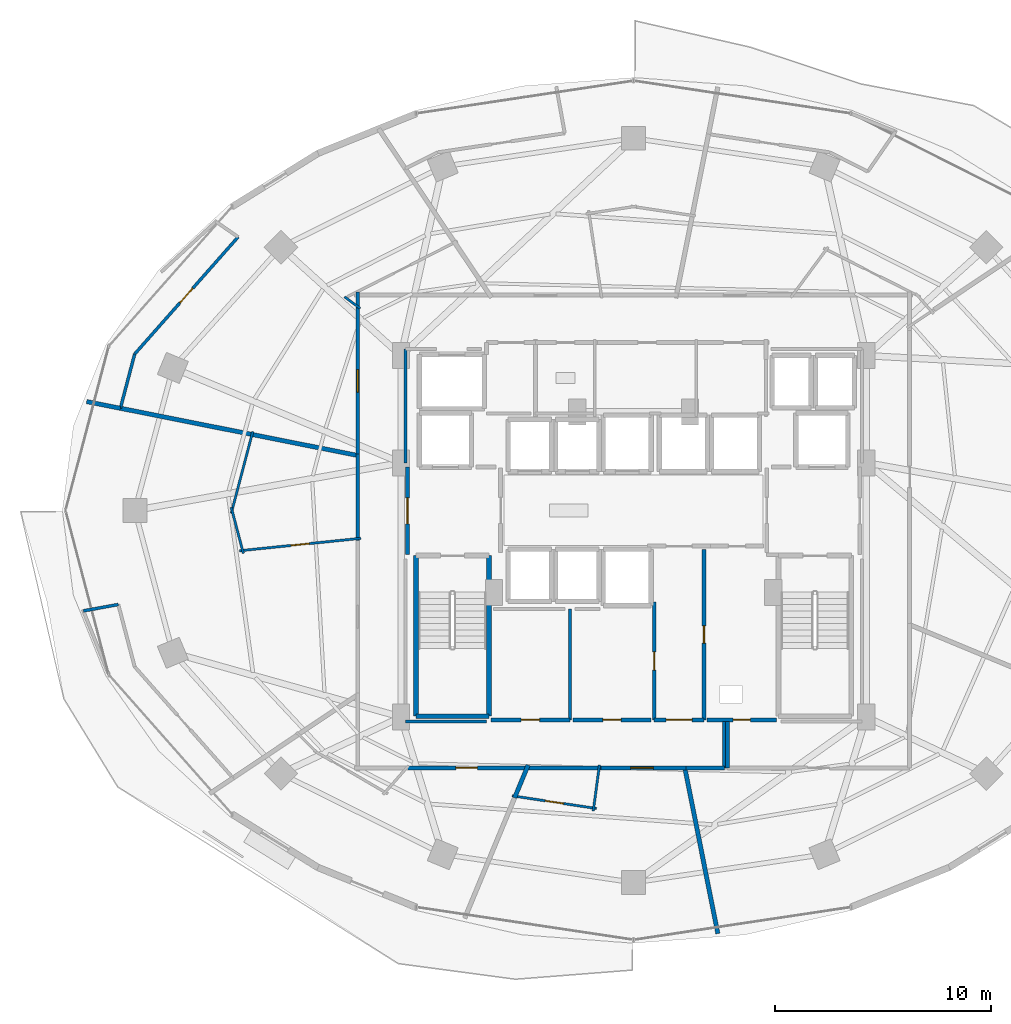
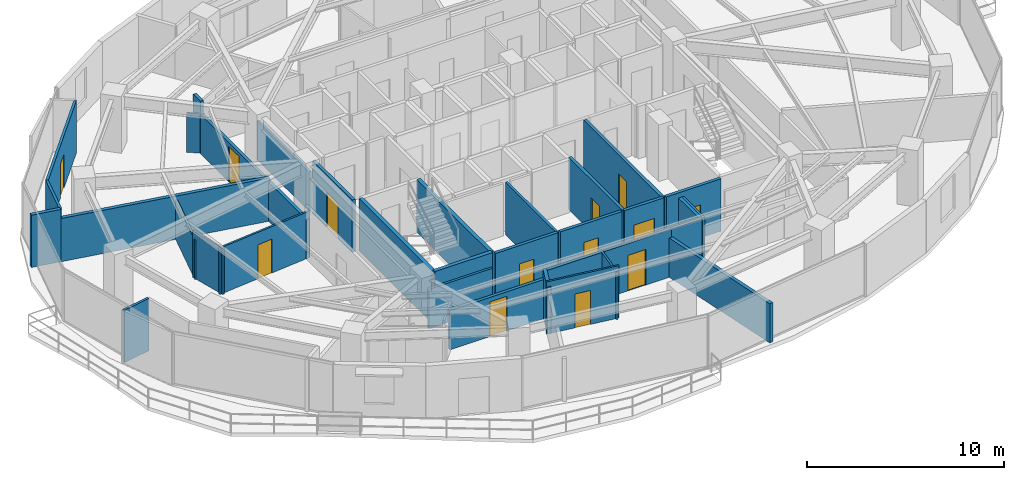
# One storey, part 22 of 29: 35 walls, 13 doors, 13 openings.
"""IFC4 building model written with IfcOpenShell, lengths in metres."""

from ifc_helpers import new_model, si_unit, direction, frame, frame_2d, origin, place, context, subcontext, project, spatial, rectangle, extrude, material, layer, layer_set, type_object, element, fill, save


model = new_model("IFC4")

# Units and contexts
model_context = context("Model", 3, precision=1e-05, world=origin(), true_north=direction((0.0, 1.0)))
body_context = subcontext(model_context, "Body", "Model", "MODEL_VIEW")
ifc_project = project(units=[si_unit("LENGTHUNIT", "METRE"), si_unit("AREAUNIT", "SQUARE_METRE"), si_unit("VOLUMEUNIT", "CUBIC_METRE"), si_unit("PLANEANGLEUNIT", "RADIAN"), si_unit("MASSUNIT", "GRAM", prefix="KILO")], contexts=[model_context])

# Site, building, storey
site_placement = place(None, origin())
site = spatial("IfcSite", under=ifc_project, at=site_placement, CompositionType="ELEMENT")
building_placement = place(site_placement, origin())
building = spatial("IfcBuilding", under=site, at=building_placement, Name="Vorneva Point Tower", CompositionType="ELEMENT")
storey_placement = place(building_placement, frame((0.0, 0.0, 85.800048828125)))
storey = spatial("IfcBuildingStorey", under=building, at=storey_placement, Name="L22", CompositionType="ELEMENT", Elevation=85.800048828125)

# Wall
ifc_material_1 = material(Name="Fire-rated acoustic gypsum stud partition", Category="gypsum")
ifc_layer_1 = layer(ifc_material_1, 0.110107421875)
ifc_layer_set_1 = layer_set([ifc_layer_1], Name="Fire-rated acoustic gypsum stud partition")
wall_type_1 = type_object("IfcWallType", Name="WL-PART-110", PredefinedType="PARTITIONING", material=ifc_layer_set_1)
wall_1_placement = place(storey_placement, frame((25.362548828125, 35.333740234375, 0.0), z_axis=(0.0, 0.0, 1.0), x_axis=(-0.804215638238, 0.594337620561, 0.0)))
element("IfcWall", 1, at=wall_1_placement, inside=storey, type_object=wall_type_1, Name="L22 Interior Partition 066", PredefinedType="PARTITIONING", context=body_context, shape_type="SweptSolid", body=[
    extrude(rectangle(XDim=0.899169921875, YDim=0.110107421875, at=frame_2d((0.44970703125, 0.0))), origin(), (0.0, 0.0, 1.0), 2.431884765625),
])

# Wall, opening, door
wall_2_placement = place(storey_placement, frame((25.389404296875, 24.708251953125, 0.0), z_axis=(0.0, 0.0, 1.0), x_axis=(-0.994782905304, -0.102014564227, 0.0)))
wall_2 = element("IfcWall", 2, at=wall_2_placement, inside=storey, type_object=wall_type_1, Name="L22 Interior Partition 074", PredefinedType="PARTITIONING", context=body_context, shape_type="SweptSolid", body=[
    extrude(rectangle(XDim=5.631103515625, YDim=0.110107421875, at=frame_2d((2.8154296875, 0.0))), origin(), (0.0, 0.0, 1.0), 2.8740234375),
])
opening_1_placement = place(wall_2_placement, frame((2.390380859375, 0.0, 0.0)))
opening_1 = element("IfcOpeningElement", 3, at=opening_1_placement, cuts=wall_2, Name="Opening ID-02", PredefinedType="OPENING", context=body_context, shape_type="SweptSolid", body=[
    extrude(rectangle(XDim=0.85009765625, YDim=2.10009765625, at=frame_2d((0.425048828125, 1.050048828125))), frame((0.0, 0.06982421875, 0.0), z_axis=(0.0, -1.0, 0.0), x_axis=(1.0, 0.0, 0.0)), (0.0, 0.0, 1.0), 0.139892578125),
])
ifc_material_2 = material(Name="Engineered oak fire-rated door leaf", Category="wood")
door_type_1 = type_object("IfcDoorType", Name="DR-BATH-850", OperationType="NOTDEFINED", PredefinedType="DOOR", material=ifc_material_2)
door_1_placement = place(opening_1_placement, origin())
door_1 = element("IfcDoor", 4, at=door_1_placement, inside=storey, type_object=door_type_1, Name="L22 Door Corner Suite L22-04 / En-Suite Bathroom L22-04", OperationType="SINGLE_SWING_LEFT", OverallHeight=2.10009765625, OverallWidth=0.85009765625, PredefinedType="DOOR", context=body_context, shape_type="SweptSolid", body=[
    extrude(rectangle(XDim=0.85009765625, YDim=2.10009765625, at=frame_2d((0.425048828125, 1.050048828125))), frame((0.0, 0.02490234375, 0.0), z_axis=(0.0, -1.0, 0.0), x_axis=(1.0, 0.0, 0.0)), (0.0, 0.0, 1.0), 0.050048828125),
])
fill(opening_1, door_1)

# Walls
wall_3_placement = place(storey_placement, frame((19.962646484375, 24.0126953125, 0.0), z_axis=(0.0, 0.0, 1.0), x_axis=(-0.254372850976, 0.967106226165, 0.0)))
element("IfcWall", 5, at=wall_3_placement, inside=storey, type_object=wall_type_1, Name="L22 Interior Partition 075", PredefinedType="PARTITIONING", context=body_context, shape_type="SweptSolid", body=[
    extrude(rectangle(XDim=2.195068359375, YDim=0.110107421875, at=frame_2d((1.09765625, 0.0))), origin(), (0.0, 0.0, 1.0), 2.8740234375),
])
wall_4_placement = place(storey_placement, frame((19.404296875, 25.864501953125, 0.0), z_axis=(0.0, 0.0, 1.0), x_axis=(0.254484072837, 0.967076965227, 0.0)))
element("IfcWall", 6, at=wall_4_placement, inside=storey, type_object=wall_type_1, Name="L22 Interior Partition 076", PredefinedType="PARTITIONING", context=body_context, shape_type="SweptSolid", body=[
    extrude(rectangle(XDim=3.907470703125, YDim=0.110107421875, at=frame_2d((1.95361328125, 0.0))), origin(), (0.0, 0.0, 1.0), 2.431884765625),
])
wall_5_placement = place(storey_placement, frame((36.420654296875, 14.23876953125, 0.0), z_axis=(0.0, 0.0, 1.0), x_axis=(-0.133358508544, -0.99106786256, 0.0)))
element("IfcWall", 7, at=wall_5_placement, inside=storey, type_object=wall_type_1, Name="L22 Interior Partition 088", PredefinedType="PARTITIONING", context=body_context, shape_type="SweptSolid", body=[
    extrude(rectangle(XDim=2.15478515625, YDim=0.110107421875, at=frame_2d((1.077392578125, 0.0))), origin(), (0.0, 0.0, 1.0), 2.921875),
])

# Wall, opening, door
wall_6_placement = place(storey_placement, frame((36.290283203125, 12.22119140625, 0.0), z_axis=(0.0, 0.0, 1.0), x_axis=(-0.988883185792, 0.148694468147, 0.0)))
wall_6 = element("IfcWall", 8, at=wall_6_placement, inside=storey, type_object=wall_type_1, Name="L22 Interior Partition 089", PredefinedType="PARTITIONING", context=body_context, shape_type="SweptSolid", body=[
    extrude(rectangle(XDim=3.945556640625, YDim=0.110107421875, at=frame_2d((1.97265625, 0.0))), origin(), (0.0, 0.0, 1.0), 3.239990234375),
])
opening_2_placement = place(wall_6_placement, frame((1.5478515625, 0.0, 0.0)))
opening_2 = element("IfcOpeningElement", 9, at=opening_2_placement, cuts=wall_6, Name="Opening ID-02", PredefinedType="OPENING", context=body_context, shape_type="SweptSolid", body=[
    extrude(rectangle(XDim=0.85009765625, YDim=2.10009765625, at=frame_2d((0.425048828125, 1.050048828125))), frame((0.0, 0.06982421875, 0.0), z_axis=(0.0, -1.0, 0.0), x_axis=(1.0, 0.0, 0.0)), (0.0, 0.0, 1.0), 0.139892578125),
])
door_2_placement = place(opening_2_placement, origin())
door_2 = element("IfcDoor", 10, at=door_2_placement, inside=storey, type_object=door_type_1, Name="L22 Door Executive Suite L22-06 / En-Suite Bathroom L22-06", OperationType="SINGLE_SWING_RIGHT", OverallHeight=2.10009765625, OverallWidth=0.85009765625, PredefinedType="DOOR", context=body_context, shape_type="SweptSolid", body=[
    extrude(rectangle(XDim=0.85009765625, YDim=2.10009765625, at=frame_2d((0.425048828125, 1.050048828125))), frame((0.0, 0.02490234375, 0.0), z_axis=(0.0, -1.0, 0.0), x_axis=(1.0, 0.0, 0.0)), (0.0, 0.0, 1.0), 0.050048828125),
])
fill(opening_2, door_2)

# Wall
ifc_layer_2 = layer(ifc_material_1, 0.139892578125)
ifc_layer_set_2 = layer_set([ifc_layer_2], Name="Fire-rated acoustic gypsum stud partition")
wall_type_2 = type_object("IfcWallType", Name="WL-PART-140", PredefinedType="PARTITIONING", material=ifc_layer_set_2)
wall_7_placement = place(storey_placement, frame((35.050048828125, 16.320068359375, 0.0), z_axis=(0.0, 0.0, 1.0), x_axis=(0.0, 1.0, 0.0)))
element("IfcWall", 11, at=wall_7_placement, inside=storey, type_object=wall_type_2, Name="L22 Interior Partition 021", PredefinedType="PARTITIONING", context=body_context, shape_type="SweptSolid", body=[
    extrude(rectangle(XDim=5.1298828125, YDim=0.139892578125, at=frame_2d((2.56494140625, 0.0))), origin(), (0.0, 0.0, 1.0), 3.239990234375),
])

# Wall, opening, door
wall_8_placement = place(storey_placement, frame((19.719970703125, 38.634033203125, 0.0), z_axis=(0.0, 0.0, 1.0), x_axis=(-0.662133761628, -0.74938566954, 0.0)))
wall_8 = element("IfcWall", 12, at=wall_8_placement, inside=storey, type_object=wall_type_2, Name="L22 Interior Partition 070", PredefinedType="PARTITIONING", context=body_context, shape_type="SweptSolid", body=[
    extrude(rectangle(XDim=7.21923828125, YDim=0.139892578125, at=frame_2d((3.609619140625, 0.0))), origin(), (0.0, 0.0, 1.0), 3.239990234375),
])
opening_3_placement = place(wall_8_placement, frame((3.15966796875, 0.0, 0.0)))
opening_3 = element("IfcOpeningElement", 13, at=opening_3_placement, cuts=wall_8, Name="Opening ID-01", PredefinedType="OPENING", context=body_context, shape_type="SweptSolid", body=[
    extrude(rectangle(XDim=0.89990234375, YDim=2.10009765625, at=frame_2d((0.449951171875, 1.050048828125))), frame((0.0, 0.0849609375, 0.0), z_axis=(0.0, -1.0, 0.0), x_axis=(1.0, 0.0, 0.0)), (0.0, 0.0, 1.0), 0.169677734375),
])
door_type_2 = type_object("IfcDoorType", Name="DR-ROOM-900", OperationType="NOTDEFINED", PredefinedType="DOOR", material=ifc_material_2)
door_3_placement = place(opening_3_placement, origin())
door_3 = element("IfcDoor", 14, at=door_3_placement, inside=storey, type_object=door_type_2, Name="L22 Door Executive Suite L22-03 / Suite Sitting Study L22-03", OperationType="SINGLE_SWING_RIGHT", OverallHeight=2.10009765625, OverallWidth=0.89990234375, PredefinedType="DOOR", context=body_context, shape_type="SweptSolid", body=[
    extrude(rectangle(XDim=0.89990234375, YDim=2.10009765625, at=frame_2d((0.449951171875, 1.050048828125))), frame((0.0, 0.02490234375, 0.0), z_axis=(0.0, -1.0, 0.0), x_axis=(1.0, 0.0, 0.0)), (0.0, 0.0, 1.0), 0.050048828125),
])
fill(opening_3, door_3)

# Walls
wall_9_placement = place(storey_placement, frame((14.93994140625, 33.22412109375, 0.0), z_axis=(0.0, 0.0, 1.0), x_axis=(-0.254289240103, -0.967128214027, 0.0)))
element("IfcWall", 15, at=wall_9_placement, inside=storey, type_object=wall_type_2, Name="L22 Interior Partition 071", PredefinedType="PARTITIONING", context=body_context, shape_type="SweptSolid", body=[
    extrude(rectangle(XDim=2.59130859375, YDim=0.139892578125, at=frame_2d((1.295654296875, 0.0))), origin(), (0.0, 0.0, 1.0), 3.239990234375),
])
wall_10_placement = place(storey_placement, frame((12.56689453125, 21.35498046875, 0.0), z_axis=(0.0, 0.0, 1.0), x_axis=(0.983774720513, 0.179408191784, 0.0)))
element("IfcWall", 16, at=wall_10_placement, inside=storey, type_object=wall_type_2, Name="L22 Interior Partition 078", PredefinedType="PARTITIONING", context=body_context, shape_type="SweptSolid", body=[
    extrude(rectangle(XDim=1.643798828125, YDim=0.139892578125, at=frame_2d((0.82177734375, 0.0))), origin(), (0.0, 0.0, 1.0), 3.239990234375),
])
wall_11_placement = place(storey_placement, frame((31.195068359375, 16.239990234375, 0.0), z_axis=(0.0, 0.0, 1.0), x_axis=(-1.0, 0.0, 0.0)))
element("IfcWall", 17, at=wall_11_placement, inside=storey, type_object=wall_type_2, Name="L22 Interior Closure Partition 105", PredefinedType="PARTITIONING", context=body_context, shape_type="SweptSolid", body=[
    extrude(rectangle(XDim=3.7451171875, YDim=0.139892578125, at=frame_2d((1.87255859375, 0.0))), origin(), (0.0, 0.0, 1.0), 2.431884765625),
])
wall_12_placement = place(storey_placement, frame((27.449951171875, 28.196044921875, 0.0), z_axis=(0.0, 0.0, 1.0), x_axis=(0.0, 1.0, 0.0)))
element("IfcWall", 18, at=wall_12_placement, inside=storey, type_object=wall_type_2, Name="L22 Interior Closure Partition 107", PredefinedType="PARTITIONING", context=body_context, shape_type="SweptSolid", body=[
    extrude(rectangle(XDim=5.25390625, YDim=0.139892578125, at=frame_2d((2.626953125, 0.0))), origin(), (0.0, 0.0, 1.0), 2.431884765625),
])

# Wall, opening, door
ifc_material_3 = material(Name="Autoclaved aerated concrete blockwork", Category="masonry")
ifc_layer_3 = layer(ifc_material_3, 0.179931640625)
ifc_layer_set_3 = layer_set([ifc_layer_3], Name="Autoclaved aerated concrete blockwork")
wall_type_3 = type_object("IfcWallType", Name="WL-PART-180", PredefinedType="PARTITIONING", material=ifc_layer_set_3)
wall_13_placement = place(storey_placement, frame((27.550048828125, 28.0, 0.0), z_axis=(0.0, 0.0, 1.0), x_axis=(0.0, -1.0, 0.0)))
wall_13 = element("IfcWall", 19, at=wall_13_placement, inside=storey, type_object=wall_type_3, Name="L22 Interior Partition 002", PredefinedType="PARTITIONING", context=body_context, shape_type="SweptSolid", body=[
    extrude(rectangle(XDim=4.050048828125, YDim=0.179931640625, at=frame_2d((2.02490234375, 0.0))), origin(), (0.0, 0.0, 1.0), 3.239990234375),
])
opening_4_placement = place(wall_13_placement, frame((1.425048828125, 0.0, 0.0)))
opening_4 = element("IfcOpeningElement", 20, at=opening_4_placement, cuts=wall_13, Name="Opening FD-02", PredefinedType="OPENING", context=body_context, shape_type="SweptSolid", body=[
    extrude(rectangle(XDim=1.199951171875, YDim=2.14990234375, at=frame_2d((0.60009765625, 1.074951171875))), frame((0.0, 0.10498046875, 0.0), z_axis=(0.0, -1.0, 0.0), x_axis=(1.0, 0.0, 0.0)), (0.0, 0.0, 1.0), 0.209716796875),
])
ifc_material_4 = material(Name="Fire-rated powder-coated steel", Category="steel")
door_type_3 = type_object("IfcDoorType", Name="DR-FFL-1200", OperationType="NOTDEFINED", PredefinedType="DOOR", material=ifc_material_4)
door_4_placement = place(opening_4_placement, origin())
door_4 = element("IfcDoor", 21, at=door_4_placement, inside=storey, type_object=door_type_3, Name="L22 Door West Firefighting Lobby / L22 Circulation Corridor", OperationType="SINGLE_SWING_RIGHT", OverallHeight=2.14990234375, OverallWidth=1.199951171875, PredefinedType="DOOR", context=body_context, shape_type="SweptSolid", body=[
    extrude(rectangle(XDim=1.199951171875, YDim=2.14990234375, at=frame_2d((0.60009765625, 1.074951171875))), frame((0.0, 0.02490234375, 0.0), z_axis=(0.0, -1.0, 0.0), x_axis=(1.0, 0.0, 0.0)), (0.0, 0.0, 1.0), 0.050048828125),
])
fill(opening_4, door_4)

wall_14_placement = place(storey_placement, frame((41.25, 16.320068359375, 0.0), z_axis=(0.0, 0.0, 1.0), x_axis=(0.0, 1.0, 0.0)))
wall_14 = element("IfcWall", 22, at=wall_14_placement, inside=storey, type_object=wall_type_3, Name="L22 Interior Partition 011", PredefinedType="PARTITIONING", context=body_context, shape_type="SweptSolid", body=[
    extrude(rectangle(XDim=7.8798828125, YDim=0.179931640625, at=frame_2d((3.93994140625, 0.0))), origin(), (0.0, 0.0, 1.0), 3.239990234375),
])
opening_5_placement = place(wall_14_placement, frame((3.5400390625, 0.0, 0.0)))
opening_5 = element("IfcOpeningElement", 23, at=opening_5_placement, cuts=wall_14, Name="Opening RD-01", PredefinedType="OPENING", context=body_context, shape_type="SweptSolid", body=[
    extrude(rectangle(XDim=0.800048828125, YDim=2.050048828125, at=frame_2d((0.39990234375, 1.02490234375))), frame((0.0, 0.10498046875, 0.0), z_axis=(0.0, -1.0, 0.0), x_axis=(1.0, 0.0, 0.0)), (0.0, 0.0, 1.0), 0.209716796875),
])
door_type_4 = type_object("IfcDoorType", Name="DR-RSR-800", OperationType="SINGLE_SWING_LEFT", PredefinedType="DOOR", material=ifc_material_4)
door_5_placement = place(opening_5_placement, origin())
door_5 = element("IfcDoor", 24, at=door_5_placement, inside=storey, type_object=door_type_4, Name="L22 Door Core Service Lobby / Electrical Riser", OperationType="SINGLE_SWING_RIGHT", OverallHeight=2.050048828125, OverallWidth=0.800048828125, PredefinedType="DOOR", context=body_context, shape_type="SweptSolid", body=[
    extrude(rectangle(XDim=0.800048828125, YDim=2.050048828125, at=frame_2d((0.39990234375, 1.02490234375))), frame((0.0, 0.02490234375, 0.0), z_axis=(0.0, -1.0, 0.0), x_axis=(1.0, 0.0, 0.0)), (0.0, 0.0, 1.0), 0.050048828125),
])
fill(opening_5, door_5)

wall_15_placement = place(storey_placement, frame((38.949951171875, 21.7548828125, 0.0), z_axis=(0.0, 0.0, 1.0), x_axis=(0.0, -1.0, 0.0)))
wall_15 = element("IfcWall", 25, at=wall_15_placement, inside=storey, type_object=wall_type_3, Name="L22 Interior Partition 012", PredefinedType="PARTITIONING", context=body_context, shape_type="SweptSolid", body=[
    extrude(rectangle(XDim=5.434814453125, YDim=0.179931640625, at=frame_2d((2.71728515625, 0.0))), origin(), (0.0, 0.0, 1.0), 3.239990234375),
])
opening_6_placement = place(wall_15_placement, frame((2.29248046875, 0.0, 0.0)))
opening_6 = element("IfcOpeningElement", 26, at=opening_6_placement, cuts=wall_15, Name="Opening ID-02", PredefinedType="OPENING", context=body_context, shape_type="SweptSolid", body=[
    extrude(rectangle(XDim=0.85009765625, YDim=2.10009765625, at=frame_2d((0.425048828125, 1.050048828125))), frame((0.0, 0.10498046875, 0.0), z_axis=(0.0, -1.0, 0.0), x_axis=(1.0, 0.0, 0.0)), (0.0, 0.0, 1.0), 0.209716796875),
])
door_6_placement = place(opening_6_placement, origin())
door_6 = element("IfcDoor", 27, at=door_6_placement, inside=storey, type_object=door_type_1, Name="L22 Door Core Service Lobby / Linen Store", OperationType="SINGLE_SWING_LEFT", OverallHeight=2.10009765625, OverallWidth=0.85009765625, PredefinedType="DOOR", context=body_context, shape_type="SweptSolid", body=[
    extrude(rectangle(XDim=0.85009765625, YDim=2.10009765625, at=frame_2d((0.425048828125, 1.050048828125))), frame((0.0, 0.02490234375, 0.0), z_axis=(0.0, -1.0, 0.0), x_axis=(1.0, 0.0, 0.0)), (0.0, 0.0, 1.0), 0.050048828125),
])
fill(opening_6, door_6)

wall_16_placement = place(storey_placement, frame((38.949951171875, 16.320068359375, 0.0), z_axis=(0.0, 0.0, 1.0), x_axis=(1.0, 0.0, 0.0)))
wall_16 = element("IfcWall", 28, at=wall_16_placement, inside=storey, type_object=wall_type_3, Name="L22 Interior Partition 013", PredefinedType="PARTITIONING", context=body_context, shape_type="SweptSolid", body=[
    extrude(rectangle(XDim=2.300048828125, YDim=0.179931640625, at=frame_2d((1.14990234375, 0.0))), origin(), (0.0, 0.0, 1.0), 3.239990234375),
])
opening_7_placement = place(wall_16_placement, frame((0.550048828125, 0.0, 0.0)))
opening_7 = element("IfcOpeningElement", 29, at=opening_7_placement, cuts=wall_16, Name="Opening FD-02", PredefinedType="OPENING", context=body_context, shape_type="SweptSolid", body=[
    extrude(rectangle(XDim=1.199951171875, YDim=2.14990234375, at=frame_2d((0.60009765625, 1.074951171875))), frame((0.0, 0.10498046875, 0.0), z_axis=(0.0, -1.0, 0.0), x_axis=(1.0, 0.0, 0.0)), (0.0, 0.0, 1.0), 0.209716796875),
])
door_7_placement = place(opening_7_placement, origin())
door_7 = element("IfcDoor", 30, at=door_7_placement, inside=storey, type_object=door_type_3, Name="L22 Door Core Service Lobby / L22 Circulation Corridor", OperationType="SINGLE_SWING_RIGHT", OverallHeight=2.14990234375, OverallWidth=1.199951171875, PredefinedType="DOOR", context=body_context, shape_type="SweptSolid", body=[
    extrude(rectangle(XDim=1.199951171875, YDim=2.14990234375, at=frame_2d((0.60009765625, 1.074951171875))), frame((0.0, 0.02490234375, 0.0), z_axis=(0.0, -1.0, 0.0), x_axis=(1.0, 0.0, 0.0)), (0.0, 0.0, 1.0), 0.050048828125),
])
fill(opening_7, door_7)

wall_17_placement = place(storey_placement, frame((41.39990234375, 16.320068359375, 0.0), z_axis=(0.0, 0.0, 1.0), x_axis=(1.0, 0.0, 0.0)))
wall_17 = element("IfcWall", 31, at=wall_17_placement, inside=storey, type_object=wall_type_3, Name="L22 Interior Partition 014", PredefinedType="PARTITIONING", context=body_context, shape_type="SweptSolid", body=[
    extrude(rectangle(XDim=3.2001953125, YDim=0.179931640625, at=frame_2d((1.60009765625, 0.0))), origin(), (0.0, 0.0, 1.0), 3.239990234375),
])
opening_8_placement = place(wall_17_placement, frame((1.199951171875, 0.0, 0.0)))
opening_8 = element("IfcOpeningElement", 32, at=opening_8_placement, cuts=wall_17, Name="Opening RD-01", PredefinedType="OPENING", context=body_context, shape_type="SweptSolid", body=[
    extrude(rectangle(XDim=0.800048828125, YDim=2.050048828125, at=frame_2d((0.39990234375, 1.02490234375))), frame((0.0, 0.10498046875, 0.0), z_axis=(0.0, -1.0, 0.0), x_axis=(1.0, 0.0, 0.0)), (0.0, 0.0, 1.0), 0.209716796875),
])
door_8_placement = place(opening_8_placement, origin())
door_8 = element("IfcDoor", 33, at=door_8_placement, inside=storey, type_object=door_type_4, Name="L22 Door Electrical Riser / L22 Circulation Corridor", OperationType="SINGLE_SWING_LEFT", OverallHeight=2.050048828125, OverallWidth=0.800048828125, PredefinedType="DOOR", context=body_context, shape_type="SweptSolid", body=[
    extrude(rectangle(XDim=0.800048828125, YDim=2.050048828125, at=frame_2d((0.39990234375, 1.02490234375))), frame((0.0, 0.02490234375, 0.0), z_axis=(0.0, -1.0, 0.0), x_axis=(1.0, 0.0, 0.0)), (0.0, 0.0, 1.0), 0.050048828125),
])
fill(opening_8, door_8)

wall_18_placement = place(storey_placement, frame((31.39990234375, 16.320068359375, 0.0), z_axis=(0.0, 0.0, 1.0), x_axis=(1.0, 0.0, 0.0)))
wall_18 = element("IfcWall", 34, at=wall_18_placement, inside=storey, type_object=wall_type_3, Name="L22 Interior Partition 022", PredefinedType="PARTITIONING", context=body_context, shape_type="SweptSolid", body=[
    extrude(rectangle(XDim=3.650146484375, YDim=0.179931640625, at=frame_2d((1.8251953125, 0.0))), origin(), (0.0, 0.0, 1.0), 3.239990234375),
])
opening_9_placement = place(wall_18_placement, frame((1.39990234375, 0.0, 0.0)))
opening_9 = element("IfcOpeningElement", 35, at=opening_9_placement, cuts=wall_18, Name="Opening ID-02", PredefinedType="OPENING", context=body_context, shape_type="SweptSolid", body=[
    extrude(rectangle(XDim=0.85009765625, YDim=2.10009765625, at=frame_2d((0.425048828125, 1.050048828125))), frame((0.0, 0.10498046875, 0.0), z_axis=(0.0, -1.0, 0.0), x_axis=(1.0, 0.0, 0.0)), (0.0, 0.0, 1.0), 0.209716796875),
])
door_9_placement = place(opening_9_placement, origin())
door_9 = element("IfcDoor", 36, at=door_9_placement, inside=storey, type_object=door_type_1, Name="L22 Door Housekeeping Room / L22 Circulation Corridor", OperationType="SINGLE_SWING_LEFT", OverallHeight=2.10009765625, OverallWidth=0.85009765625, PredefinedType="DOOR", context=body_context, shape_type="SweptSolid", body=[
    extrude(rectangle(XDim=0.85009765625, YDim=2.10009765625, at=frame_2d((0.425048828125, 1.050048828125))), frame((0.0, 0.02490234375, 0.0), z_axis=(0.0, -1.0, 0.0), x_axis=(1.0, 0.0, 0.0)), (0.0, 0.0, 1.0), 0.050048828125),
])
fill(opening_9, door_9)

wall_19_placement = place(storey_placement, frame((35.199951171875, 16.320068359375, 0.0), z_axis=(0.0, 0.0, 1.0), x_axis=(1.0, 0.0, 0.0)))
wall_19 = element("IfcWall", 37, at=wall_19_placement, inside=storey, type_object=wall_type_3, Name="L22 Interior Partition 023", PredefinedType="PARTITIONING", context=body_context, shape_type="SweptSolid", body=[
    extrude(rectangle(XDim=3.60009765625, YDim=0.179931640625, at=frame_2d((1.800048828125, 0.0))), origin(), (0.0, 0.0, 1.0), 3.239990234375),
])
opening_10_placement = place(wall_19_placement, frame((1.375, 0.0, 0.0)))
opening_10 = element("IfcOpeningElement", 38, at=opening_10_placement, cuts=wall_19, Name="Opening ID-02", PredefinedType="OPENING", context=body_context, shape_type="SweptSolid", body=[
    extrude(rectangle(XDim=0.85009765625, YDim=2.10009765625, at=frame_2d((0.425048828125, 1.050048828125))), frame((0.0, 0.10498046875, 0.0), z_axis=(0.0, -1.0, 0.0), x_axis=(1.0, 0.0, 0.0)), (0.0, 0.0, 1.0), 0.209716796875),
])
door_10_placement = place(opening_10_placement, origin())
door_10 = element("IfcDoor", 39, at=door_10_placement, inside=storey, type_object=door_type_1, Name="L22 Door Linen Store / L22 Circulation Corridor", OperationType="SINGLE_SWING_RIGHT", OverallHeight=2.10009765625, OverallWidth=0.85009765625, PredefinedType="DOOR", context=body_context, shape_type="SweptSolid", body=[
    extrude(rectangle(XDim=0.85009765625, YDim=2.10009765625, at=frame_2d((0.425048828125, 1.050048828125))), frame((0.0, 0.02490234375, 0.0), z_axis=(0.0, -1.0, 0.0), x_axis=(1.0, 0.0, 0.0)), (0.0, 0.0, 1.0), 0.050048828125),
])
fill(opening_10, door_10)

wall_20_placement = place(storey_placement, frame((25.25, 35.491943359375, 0.0), z_axis=(0.0, 0.0, 1.0), x_axis=(0.0, -1.0, 0.0)))
wall_20 = element("IfcWall", 40, at=wall_20_placement, inside=storey, type_object=wall_type_3, Name="L22 Interior Partition 029", PredefinedType="PARTITIONING", context=body_context, shape_type="SweptSolid", body=[
    extrude(rectangle(XDim=7.015869140625, YDim=0.179931640625, at=frame_2d((3.5078125, 0.0))), origin(), (0.0, 0.0, 1.0), 2.431884765625),
])
opening_11_placement = place(wall_20_placement, frame((2.98291015625, 0.0, 0.0)))
opening_11 = element("IfcOpeningElement", 41, at=opening_11_placement, cuts=wall_20, Name="Opening UD-02", PredefinedType="OPENING", context=body_context, shape_type="SweptSolid", body=[
    extrude(rectangle(XDim=1.050048828125, YDim=2.199951171875, at=frame_2d((0.52490234375, 1.10009765625))), frame((0.0, 0.10498046875, 0.0), z_axis=(0.0, -1.0, 0.0), x_axis=(1.0, 0.0, 0.0)), (0.0, 0.0, 1.0), 0.209716796875),
])
door_type_5 = type_object("IfcDoorType", Name="DR-SUITE-1050", OperationType="NOTDEFINED", PredefinedType="DOOR", material=ifc_material_2)
door_11_placement = place(opening_11_placement, origin())
door_11 = element("IfcDoor", 42, at=door_11_placement, inside=storey, type_object=door_type_5, Name="L22 Door L22 Circulation Corridor / Executive Suite L22-03", OperationType="SINGLE_SWING_LEFT", OverallHeight=2.199951171875, OverallWidth=1.050048828125, PredefinedType="DOOR", context=body_context, shape_type="SweptSolid", body=[
    extrude(rectangle(XDim=1.050048828125, YDim=2.199951171875, at=frame_2d((0.52490234375, 1.10009765625))), frame((0.0, 0.02490234375, 0.0), z_axis=(0.0, -1.0, 0.0), x_axis=(1.0, 0.0, 0.0)), (0.0, 0.0, 1.0), 0.050048828125),
])
fill(opening_11, door_11)

# Walls
wall_21_placement = place(storey_placement, frame((25.25, 36.090087890625, 0.0), z_axis=(0.0, 0.0, 1.0), x_axis=(0.0, -1.0, 0.0)))
element("IfcWall", 43, at=wall_21_placement, inside=storey, type_object=wall_type_3, Name="L22 Interior Partition 031", PredefinedType="PARTITIONING", context=body_context, shape_type="SweptSolid", body=[
    extrude(rectangle(XDim=0.738037109375, YDim=0.179931640625, at=frame_2d((0.369140625, 0.0))), origin(), (0.0, 0.0, 1.0), 3.239990234375),
])
wall_22_placement = place(storey_placement, frame((25.25, 28.615966796875, 0.0), z_axis=(0.0, 0.0, 1.0), x_axis=(0.0, -1.0, 0.0)))
element("IfcWall", 44, at=wall_22_placement, inside=storey, type_object=wall_type_3, Name="L22 Interior Partition 033", PredefinedType="PARTITIONING", context=body_context, shape_type="SweptSolid", body=[
    extrude(rectangle(XDim=4.001953125, YDim=0.179931640625, at=frame_2d((2.0009765625, 0.0))), origin(), (0.0, 0.0, 1.0), 2.431884765625),
])

# Wall, opening, door
wall_23_placement = place(storey_placement, frame((27.428955078125, 14.10009765625, 0.0), z_axis=(0.0, 0.0, 1.0), x_axis=(1.0, 0.0, 0.0)))
wall_23 = element("IfcWall", 45, at=wall_23_placement, inside=storey, type_object=wall_type_3, Name="L22 Interior Partition 034", PredefinedType="PARTITIONING", context=body_context, shape_type="SweptSolid", body=[
    extrude(rectangle(XDim=5.7021484375, YDim=0.179931640625, at=frame_2d((2.85107421875, 0.0))), origin(), (0.0, 0.0, 1.0), 2.431884765625),
])
opening_12_placement = place(wall_23_placement, frame((2.35107421875, 0.0, 0.0)))
opening_12 = element("IfcOpeningElement", 46, at=opening_12_placement, cuts=wall_23, Name="Opening UD-01", PredefinedType="OPENING", context=body_context, shape_type="SweptSolid", body=[
    extrude(rectangle(XDim=1.0, YDim=2.14990234375, at=frame_2d((0.5, 1.074951171875))), frame((0.0, 0.10498046875, 0.0), z_axis=(0.0, -1.0, 0.0), x_axis=(1.0, 0.0, 0.0)), (0.0, 0.0, 1.0), 0.209716796875),
])
door_type_6 = type_object("IfcDoorType", Name="DR-UNIT-1000", OperationType="NOTDEFINED", PredefinedType="DOOR", material=ifc_material_2)
door_12_placement = place(opening_12_placement, origin())
door_12 = element("IfcDoor", 47, at=door_12_placement, inside=storey, type_object=door_type_6, Name="L22 Door L22 Circulation Corridor / Deluxe Guest Room L22-05", OperationType="SINGLE_SWING_LEFT", OverallHeight=2.14990234375, OverallWidth=1.0, PredefinedType="DOOR", context=body_context, shape_type="SweptSolid", body=[
    extrude(rectangle(XDim=1.0, YDim=2.14990234375, at=frame_2d((0.5, 1.074951171875))), frame((0.0, 0.02490234375, 0.0), z_axis=(0.0, -1.0, 0.0), x_axis=(1.0, 0.0, 0.0)), (0.0, 0.0, 1.0), 0.050048828125),
])
fill(opening_12, door_12)

wall_24_placement = place(storey_placement, frame((36.341064453125, 14.10009765625, 0.0), z_axis=(0.0, 0.0, 1.0), x_axis=(1.0, 0.0, 0.0)))
wall_24 = element("IfcWall", 48, at=wall_24_placement, inside=storey, type_object=wall_type_3, Name="L22 Interior Partition 037", PredefinedType="PARTITIONING", context=body_context, shape_type="SweptSolid", body=[
    extrude(rectangle(XDim=4.0869140625, YDim=0.179931640625, at=frame_2d((2.04345703125, 0.0))), origin(), (0.0, 0.0, 1.0), 2.921875),
])
opening_13_placement = place(wall_24_placement, frame((1.5185546875, 0.0, 0.0)))
opening_13 = element("IfcOpeningElement", 49, at=opening_13_placement, cuts=wall_24, Name="Opening UD-02", PredefinedType="OPENING", context=body_context, shape_type="SweptSolid", body=[
    extrude(rectangle(XDim=1.050048828125, YDim=2.199951171875, at=frame_2d((0.52490234375, 1.10009765625))), frame((0.0, 0.10498046875, 0.0), z_axis=(0.0, -1.0, 0.0), x_axis=(1.0, 0.0, 0.0)), (0.0, 0.0, 1.0), 0.209716796875),
])
door_13_placement = place(opening_13_placement, origin())
door_13 = element("IfcDoor", 50, at=door_13_placement, inside=storey, type_object=door_type_5, Name="L22 Door L22 Circulation Corridor / Executive Suite L22-06", OperationType="SINGLE_SWING_RIGHT", OverallHeight=2.199951171875, OverallWidth=1.050048828125, PredefinedType="DOOR", context=body_context, shape_type="SweptSolid", body=[
    extrude(rectangle(XDim=1.050048828125, YDim=2.199951171875, at=frame_2d((0.52490234375, 1.10009765625))), frame((0.0, 0.02490234375, 0.0), z_axis=(0.0, -1.0, 0.0), x_axis=(1.0, 0.0, 0.0)), (0.0, 0.0, 1.0), 0.050048828125),
])
fill(opening_13, door_13)

# Walls
wall_25_placement = place(storey_placement, frame((32.990966796875, 14.10009765625, 0.0), z_axis=(0.0, 0.0, 1.0), x_axis=(1.0, 0.0, 0.0)))
element("IfcWall", 51, at=wall_25_placement, inside=storey, type_object=wall_type_3, Name="L22 Interior Partition 038", PredefinedType="PARTITIONING", context=body_context, shape_type="SweptSolid", body=[
    extrude(rectangle(XDim=3.489990234375, YDim=0.179931640625, at=frame_2d((1.7451171875, 0.0))), origin(), (0.0, 0.0, 1.0), 2.921875),
])
wall_26_placement = place(storey_placement, frame((42.340087890625, 16.239990234375, 0.0), z_axis=(0.0, 0.0, 1.0), x_axis=(0.0, -1.0, 0.0)))
element("IfcWall", 52, at=wall_26_placement, inside=storey, type_object=wall_type_3, Name="L22 Interior Partition 039", PredefinedType="PARTITIONING", context=body_context, shape_type="SweptSolid", body=[
    extrude(rectangle(XDim=2.139892578125, YDim=0.179931640625, at=frame_2d((1.06982421875, 0.0))), origin(), (0.0, 0.0, 1.0), 2.921875),
])
wall_27_placement = place(storey_placement, frame((40.427978515625, 14.10009765625, 0.0), z_axis=(0.0, 0.0, 1.0), x_axis=(1.0, 0.0, 0.0)))
element("IfcWall", 53, at=wall_27_placement, inside=storey, type_object=wall_type_3, Name="L22 Interior Partition 042", PredefinedType="PARTITIONING", context=body_context, shape_type="SweptSolid", body=[
    extrude(rectangle(XDim=1.77197265625, YDim=0.179931640625, at=frame_2d((0.885986328125, 0.0))), origin(), (0.0, 0.0, 1.0), 2.921875),
])
wall_28_placement = place(storey_placement, frame((42.199951171875, 14.10009765625, 0.0), z_axis=(0.0, 0.0, 1.0), x_axis=(0.0, 1.0, 0.0)))
element("IfcWall", 54, at=wall_28_placement, inside=storey, type_object=wall_type_3, Name="L22 Interior Partition 043", PredefinedType="PARTITIONING", context=body_context, shape_type="SweptSolid", body=[
    extrude(rectangle(XDim=2.139892578125, YDim=0.179931640625, at=frame_2d((1.06982421875, 0.0))), origin(), (0.0, 0.0, 1.0), 2.921875),
])
ifc_layer_4 = layer(ifc_material_3, 0.199951171875)
ifc_layer_set_4 = layer_set([ifc_layer_4], Name="Autoclaved aerated concrete blockwork")
wall_type_4 = type_object("IfcWallType", Name="WL-PART-200", PredefinedType="PARTITIONING", material=ifc_layer_set_4)
wall_29_placement = place(storey_placement, frame((14.281005859375, 30.718017578125, 0.0), z_axis=(0.0, 0.0, 1.0), x_axis=(0.980780826537, -0.19511271178, 0.0)))
element("IfcWall", 55, at=wall_29_placement, inside=storey, type_object=wall_type_4, Name="L22 Interior Partition 072", PredefinedType="PARTITIONING", context=body_context, shape_type="SweptSolid", body=[
    extrude(rectangle(XDim=11.183837890625, YDim=0.199951171875, at=frame_2d((5.591796875, 0.0))), origin(), (0.0, 0.0, 1.0), 2.677001953125),
])
wall_30_placement = place(storey_placement, frame((12.719970703125, 31.029052734375, 0.0), z_axis=(0.0, 0.0, 1.0), x_axis=(0.98072200318, -0.195408168916, 0.0)))
element("IfcWall", 56, at=wall_30_placement, inside=storey, type_object=wall_type_4, Name="L22 Interior Partition 073", PredefinedType="PARTITIONING", context=body_context, shape_type="SweptSolid", body=[
    extrude(rectangle(XDim=1.591796875, YDim=0.199951171875, at=frame_2d((0.7958984375, 0.0))), origin(), (0.0, 0.0, 1.0), 3.239990234375),
])
wall_31_placement = place(storey_placement, frame((32.496826171875, 12.71484375, 0.0), z_axis=(0.0, 0.0, 1.0), x_axis=(0.382891039503, 0.923793511489, 0.0)))
element("IfcWall", 57, at=wall_31_placement, inside=storey, type_object=wall_type_4, Name="L22 Interior Partition 087", PredefinedType="PARTITIONING", context=body_context, shape_type="SweptSolid", body=[
    extrude(rectangle(XDim=1.639404296875, YDim=0.199951171875, at=frame_2d((0.81982421875, 0.0))), origin(), (0.0, 0.0, 1.0), 2.921875),
])
wall_32_placement = place(storey_placement, frame((41.89111328125, 6.44091796875, 0.0), z_axis=(0.0, 0.0, 1.0), x_axis=(-0.195172155482, 0.980768999166, 0.0)))
element("IfcWall", 58, at=wall_32_placement, inside=storey, type_object=wall_type_4, Name="L22 Interior Partition 090", PredefinedType="PARTITIONING", context=body_context, shape_type="SweptSolid", body=[
    extrude(rectangle(XDim=7.809326171875, YDim=0.199951171875, at=frame_2d((3.90478515625, 0.0))), origin(), (0.0, 0.0, 1.0), 2.431884765625),
])
ifc_material_5 = material(Name="Concrete B50 (C40/50)", Category="concrete")
ifc_layer_5 = layer(ifc_material_5, 0.219970703125)
ifc_layer_set_5 = layer_set([ifc_layer_5], Name="Concrete B50 (C40/50)")
wall_type_5 = type_object("IfcWallType", Name="WL-SHFT-220", PredefinedType="SOLIDWALL", material=ifc_layer_set_5)
wall_33_placement = place(storey_placement, frame((31.31005859375, 23.909912109375, 0.0), z_axis=(0.0, 0.0, 1.0), x_axis=(0.0, -1.0, 0.0)))
element("IfcWall", 59, at=wall_33_placement, inside=storey, type_object=wall_type_5, Name="L22 Exit Stair ST1 Shaft Wall right", PredefinedType="SOLIDWALL", context=body_context, shape_type="SweptSolid", body=[
    extrude(rectangle(XDim=7.419921875, YDim=0.219970703125, at=frame_2d((3.7099609375, 0.0))), origin(), (0.0, 0.0, 1.0), 3.239990234375),
])
wall_34_placement = place(storey_placement, frame((31.31005859375, 16.489990234375, 0.0), z_axis=(0.0, 0.0, 1.0), x_axis=(-1.0, 0.0, 0.0)))
element("IfcWall", 60, at=wall_34_placement, inside=storey, type_object=wall_type_5, Name="L22 Exit Stair ST1 Shaft Wall far", PredefinedType="SOLIDWALL", context=body_context, shape_type="SweptSolid", body=[
    extrude(rectangle(XDim=3.3701171875, YDim=0.219970703125, at=frame_2d((1.68505859375, 0.0))), origin(), (0.0, 0.0, 1.0), 3.239990234375),
])
wall_35_placement = place(storey_placement, frame((27.93994140625, 16.489990234375, 0.0), z_axis=(0.0, 0.0, 1.0), x_axis=(0.0, 1.0, 0.0)))
element("IfcWall", 61, at=wall_35_placement, inside=storey, type_object=wall_type_5, Name="L22 Exit Stair ST1 Shaft Wall left", PredefinedType="SOLIDWALL", context=body_context, shape_type="SweptSolid", body=[
    extrude(rectangle(XDim=7.419921875, YDim=0.219970703125, at=frame_2d((3.7099609375, 0.0))), origin(), (0.0, 0.0, 1.0), 3.239990234375),
])

save(model, "model.ifc")
